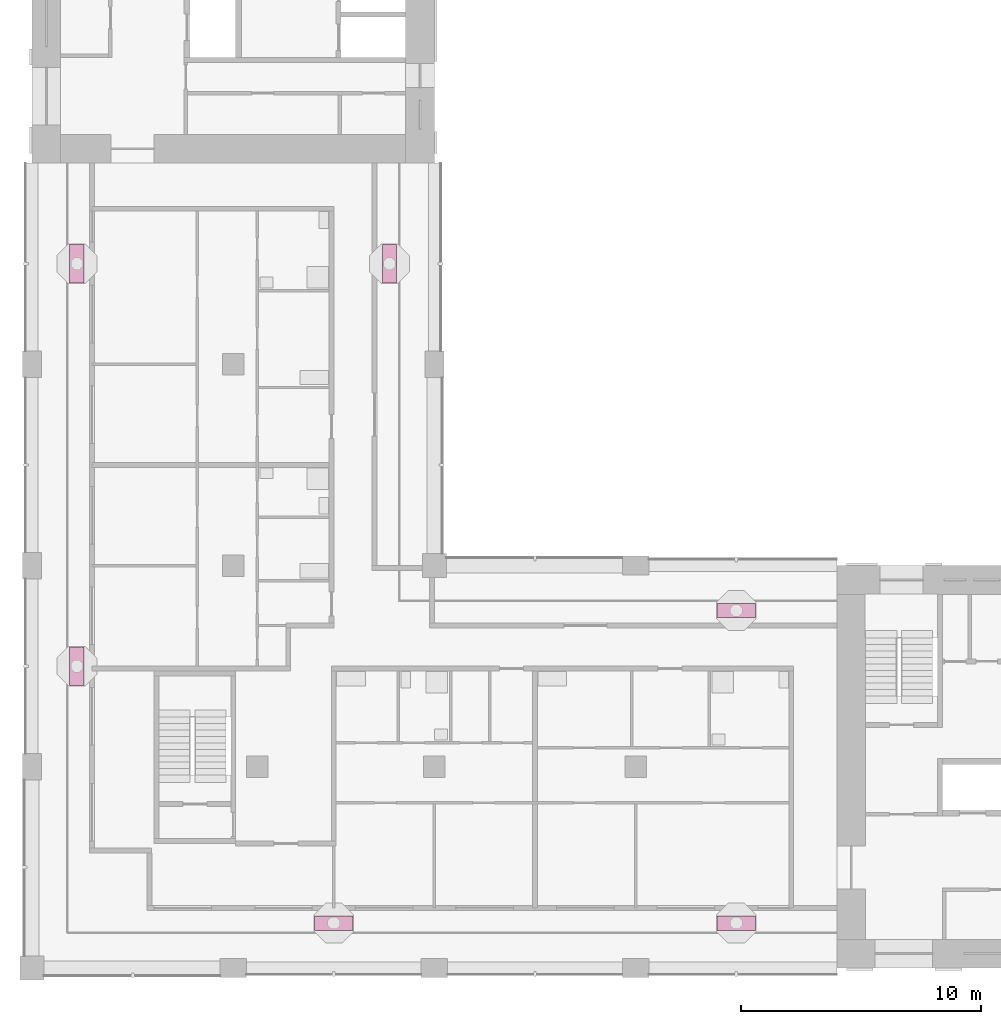
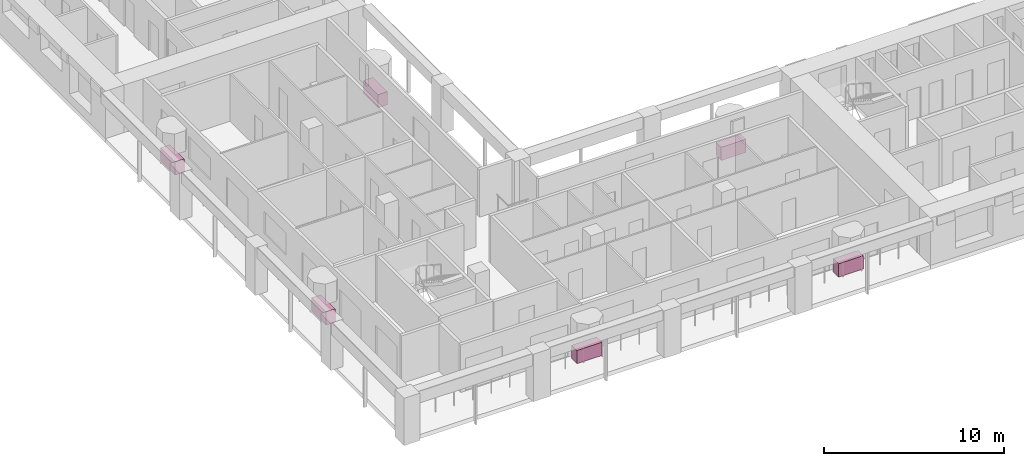
# One storey, part 11 of 12: 6 furniture elements.
"""IFC4 building model written with IfcOpenShell, lengths in metres."""

from ifc_helpers import new_model, si_unit, direction, frame, origin, origin_2d, place, context, subcontext, project, spatial, rectangle, extrude, material, element, save


model = new_model("IFC4")

# Units and contexts
model_context = context("Model", 3, precision=1e-05, world=origin(), true_north=direction((0.0, 1.0)))
body_context = subcontext(model_context, "Body", "Model", "MODEL_VIEW")
ifc_project = project(units=[si_unit("LENGTHUNIT", "METRE"), si_unit("AREAUNIT", "SQUARE_METRE"), si_unit("VOLUMEUNIT", "CUBIC_METRE"), si_unit("PLANEANGLEUNIT", "RADIAN"), si_unit("MASSUNIT", "GRAM", prefix="KILO")], contexts=[model_context])

# Site, building, storey
site_placement = place(None, origin())
site = spatial("IfcSite", under=ifc_project, at=site_placement, CompositionType="ELEMENT")
building_placement = place(site_placement, origin())
building = spatial("IfcBuilding", under=site, at=building_placement, Name="Vermilion Gate Residences", CompositionType="ELEMENT")
storey_placement = place(building_placement, frame((0.0, 0.0, 214.199951171875)))
storey = spatial("IfcBuildingStorey", under=building, at=storey_placement, Name="L55", CompositionType="ELEMENT", Elevation=214.199951171875)

# Furniture
ifc_material = material(Name="Terracotta planter", Category="masonry")
for number, where, z_axis, x_axis, name in (
    (1, (21.0, 10.27490234375, 0.0), (0.0, 0.0, 1.0), (1.0, 0.0, 0.0), "PLANTER"),
    (2, (37.800048828125, 10.27490234375, 0.0), (0.0, 0.0, 1.0), (1.0, 0.0, 0.0), "PLANTER"),
    (3, (37.800048828125, 23.324951171875, 0.0), (0.0, 0.0, 1.0), (-1.0, 0.0, 0.0), "PLANTER"),
    (4, (23.324951171875, 37.800048828125, 0.0), (0.0, 0.0, 1.0), (0.0, 1.0, 0.0), "PLANTER"),
    (5, (10.27490234375, 21.0, 0.0), (0.0, 0.0, 1.0), (0.0, -1.0, 0.0), "PLANTER"),
    (6, (10.27490234375, 37.800048828125, 0.0), (0.0, 0.0, 1.0), (0.0, -1.0, 0.0), "PLANTER"),
):
    element("IfcFurniture", number, at=place(storey_placement, frame(where, z_axis=z_axis, x_axis=x_axis)), inside=storey, material=ifc_material, Name=name, ObjectType="PLANTER", PredefinedType="USERDEFINED", context=body_context, shape_type="SweptSolid", body=[
        extrude(rectangle(XDim=1.60009765625, YDim=0.60009765625, at=origin_2d()), origin(), (0.0, 0.0, 1.0), 0.89990234375),
    ])

save(model, "model.ifc")
